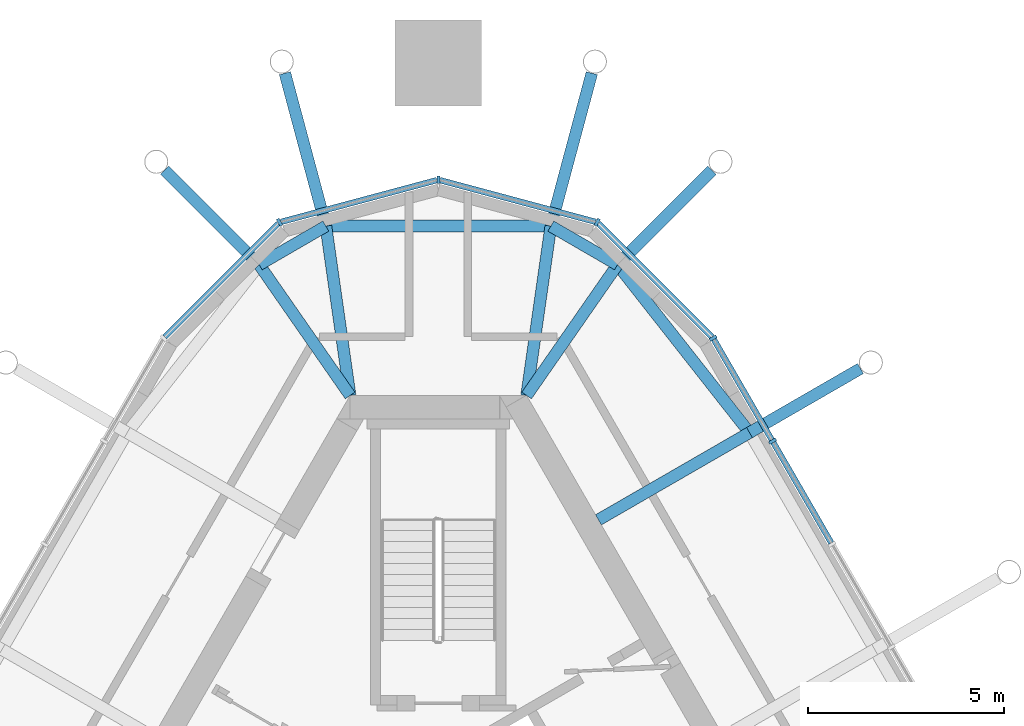
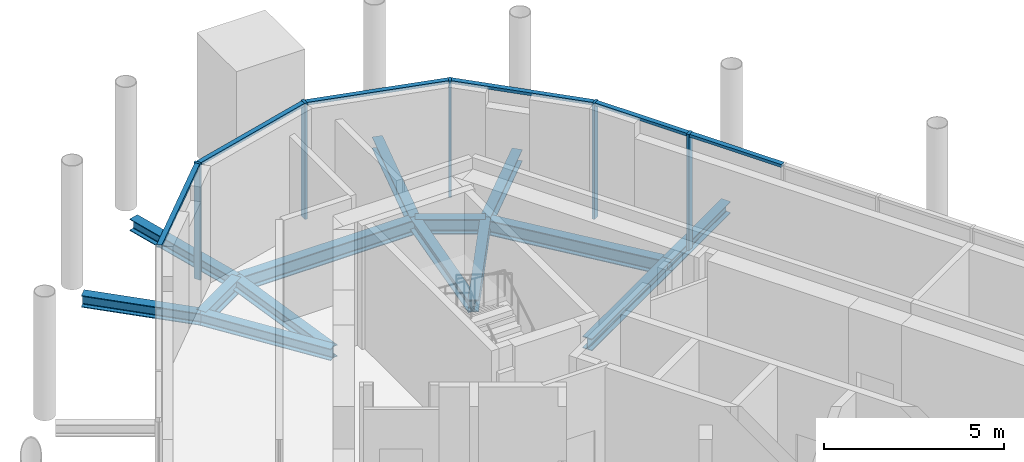
# One storey, part 5 of 11: 14 beams, 11 members, 2 elements without a shape of their own.
"""IFC4 building model written with IfcOpenShell, lengths in metres."""

from ifc_helpers import new_model, si_unit, direction, frame, origin, origin_2d, place, context, subcontext, project, spatial, rectangle, i_section, extrude, material, material_profile, profile_set, type_object, element, aggregate, save


model = new_model("IFC4")

# Units and contexts
model_context = context("Model", 3, precision=1e-05, world=origin(), true_north=direction((0.0, 1.0)))
body_context = subcontext(model_context, "Body", "Model", "MODEL_VIEW")
ifc_project = project(units=[si_unit("LENGTHUNIT", "METRE"), si_unit("AREAUNIT", "SQUARE_METRE"), si_unit("VOLUMEUNIT", "CUBIC_METRE"), si_unit("PLANEANGLEUNIT", "RADIAN"), si_unit("MASSUNIT", "GRAM", prefix="KILO")], contexts=[model_context])

# Site, building, storey
site_placement = place(None, origin())
site = spatial("IfcSite", under=ifc_project, at=site_placement, CompositionType="ELEMENT")
building_placement = place(site_placement, origin())
building = spatial("IfcBuilding", under=site, at=building_placement, Name="Mestral Congress Tower", CompositionType="ELEMENT")
storey_placement = place(building_placement, frame((0.0, 0.0, 336.0)))
storey = spatial("IfcBuildingStorey", under=building, at=storey_placement, Name="L78", CompositionType="ELEMENT", Elevation=336.0)

# Curtain wall, members
ifc_material_1 = material(Name="Glazed ceramic", Category="masonry")
curtain_wall_type = type_object("IfcCurtainWallType", Name="Facade plant louvre screen", PredefinedType="USERDEFINED", material=ifc_material_1)
placement = place(storey_placement, origin())
curtain_wall_1 = element("IfcCurtainWall", 1, at=placement, inside=storey, type_object=curtain_wall_type, Name="Plant louvre screen side 2", ObjectType="CURTAIN WALL", PredefinedType="USERDEFINED")
ifc_material_2 = material(Name="Anodised aluminium", Category="aluminium")
ifc_material_profile_1 = material_profile(ifc_material_2, rectangle(XDim=0.199951171875, YDim=0.080078125, at=origin_2d()), Name="CW6 mullion 200 x 80")
ifc_profile_set_1 = profile_set([ifc_material_profile_1], Name="Anodised aluminium")
member_type_1 = type_object("IfcMemberType", Name="Facade plant louvre screen mullion", PredefinedType="MULLION", material=ifc_profile_set_1)
member_1_placement = place(storey_placement, frame((8.525390625, 15.43359375, 0.0), z_axis=(0.0, 0.0, 1.0), x_axis=(0.866024531118, 0.500001511499, 0.0)))
member_1 = element("IfcMember", 2, at=member_1_placement, type_object=member_type_1, Name="Facade plant louvre screen mullion", PredefinedType="MULLION", context=body_context, shape_type="SweptSolid", body=[
    extrude(rectangle(XDim=0.199951171875, YDim=0.080078125, at=origin_2d()), origin(), (0.0, 0.0, 1.0), 3.949951171875),
])
member_2_placement = place(storey_placement, frame((7.00830078125, 18.061279296875, 0.0), z_axis=(0.0, 0.0, 1.0), x_axis=(0.866024531118, 0.500001511499, 0.0)))
member_2 = element("IfcMember", 3, at=member_2_placement, type_object=member_type_1, Name="Facade plant louvre screen mullion", PredefinedType="MULLION", context=body_context, shape_type="SweptSolid", body=[
    extrude(rectangle(XDim=0.199951171875, YDim=0.080078125, at=origin_2d()), origin(), (0.0, 0.0, 1.0), 3.949951171875),
])

curtain_wall_2 = element("IfcCurtainWall", 4, at=placement, inside=storey, type_object=curtain_wall_type, Name="Plant louvre screen corner 3", ObjectType="CURTAIN WALL", PredefinedType="USERDEFINED")
member_3_placement = place(storey_placement, frame((4.0517578125, 21.017822265625, 0.0), z_axis=(0.0, 0.0, 1.0), x_axis=(0.5, 0.866025403784, 0.0)))
member_3 = element("IfcMember", 5, at=member_3_placement, type_object=member_type_1, Name="Facade plant louvre screen mullion", PredefinedType="MULLION", context=body_context, shape_type="SweptSolid", body=[
    extrude(rectangle(XDim=0.199951171875, YDim=0.080078125, at=origin_2d()), origin(), (0.0, 0.0, 1.0), 3.949951171875),
])
member_4_placement = place(storey_placement, frame((0.0, 22.103515625, 0.0), z_axis=(0.0, 0.0, 1.0), x_axis=(0.0, 1.0, 0.0)))
member_4 = element("IfcMember", 6, at=member_4_placement, type_object=member_type_1, Name="Facade plant louvre screen mullion", PredefinedType="MULLION", context=body_context, shape_type="SweptSolid", body=[
    extrude(rectangle(XDim=0.199951171875, YDim=0.080078125, at=origin_2d()), origin(), (0.0, 0.0, 1.0), 3.949951171875),
])
member_5_placement = place(storey_placement, frame((-4.0517578125, 21.017822265625, 0.0), z_axis=(0.0, 0.0, 1.0), x_axis=(-0.5, 0.866025403784, 0.0)))
member_5 = element("IfcMember", 7, at=member_5_placement, type_object=member_type_1, Name="Facade plant louvre screen mullion", PredefinedType="MULLION", context=body_context, shape_type="SweptSolid", body=[
    extrude(rectangle(XDim=0.199951171875, YDim=0.080078125, at=origin_2d()), origin(), (0.0, 0.0, 1.0), 3.949951171875),
])

# Member
ifc_material_profile_2 = material_profile(ifc_material_2, rectangle(XDim=0.14990234375, YDim=0.10009765625, at=origin_2d()), Name="CW6 transom 150 x 100")
ifc_profile_set_2 = profile_set([ifc_material_profile_2], Name="Anodised aluminium")
member_type_2 = type_object("IfcMemberType", Name="Facade plant louvre screen transom", PredefinedType="USERDEFINED", material=ifc_profile_set_2)
member_6_placement = place(storey_placement, frame((10.022705078125, 12.84033203125, 3.89990234375), z_axis=(-0.50002288008, 0.866012193561, 0.0), x_axis=(-0.866012193561, -0.50002288008, 0.0)))
member_6 = element("IfcMember", 8, at=member_6_placement, type_object=member_type_2, Name="Facade plant louvre screen transom", ObjectType="TRANSOM", PredefinedType="USERDEFINED", context=body_context, shape_type="SweptSolid", body=[
    extrude(rectangle(XDim=0.14990234375, YDim=0.10009765625, at=origin_2d()), origin(), (0.0, 0.0, 1.0), 2.954345703125),
])

member_7_placement = place(storey_placement, frame((8.50537109375, 15.46826171875, 3.89990234375), z_axis=(-0.499960902066, 0.86604797581, 0.0), x_axis=(-0.86604797581, -0.499960902066, 0.0)))
member_7 = element("IfcMember", 9, at=member_7_placement, type_object=member_type_2, Name="Facade plant louvre screen transom", ObjectType="TRANSOM", PredefinedType="USERDEFINED", context=body_context, shape_type="SweptSolid", body=[
    extrude(rectangle(XDim=0.14990234375, YDim=0.10009765625, at=origin_2d()), origin(), (0.0, 0.0, 1.0), 2.954345703125),
])

aggregate(curtain_wall_1, [member_1, member_2, member_6, member_7])

member_8_placement = place(storey_placement, frame((6.97998046875, 18.089599609375, 3.89990234375), z_axis=(-0.707106781187, 0.707106781187, 0.0), x_axis=(-0.707106781187, -0.707106781187, 0.0)))
member_8 = element("IfcMember", 10, at=member_8_placement, type_object=member_type_2, Name="Facade plant louvre screen transom", ObjectType="TRANSOM", PredefinedType="USERDEFINED", context=body_context, shape_type="SweptSolid", body=[
    extrude(rectangle(XDim=0.14990234375, YDim=0.10009765625, at=origin_2d()), origin(), (0.0, 0.0, 1.0), 4.10107421875),
])

member_9_placement = place(storey_placement, frame((4.01318359375, 21.0283203125, 3.89990234375), z_axis=(-0.965928983476, 0.258807262034, 0.0), x_axis=(-0.258807262034, -0.965928983476, 0.0)))
member_9 = element("IfcMember", 11, at=member_9_placement, type_object=member_type_2, Name="Facade plant louvre screen transom", ObjectType="TRANSOM", PredefinedType="USERDEFINED", context=body_context, shape_type="SweptSolid", body=[
    extrude(rectangle(XDim=0.14990234375, YDim=0.10009765625, at=origin_2d()), origin(), (0.0, 0.0, 1.0), 4.11474609375),
])

member_10_placement = place(storey_placement, frame((-0.03857421875, 22.09326171875, 3.89990234375), z_axis=(-0.965928983476, -0.258807262034, 0.0), x_axis=(0.258807262034, -0.965928983476, 0.0)))
member_10 = element("IfcMember", 12, at=member_10_placement, type_object=member_type_2, Name="Facade plant louvre screen transom", ObjectType="TRANSOM", PredefinedType="USERDEFINED", context=body_context, shape_type="SweptSolid", body=[
    extrude(rectangle(XDim=0.14990234375, YDim=0.10009765625, at=origin_2d()), origin(), (0.0, 0.0, 1.0), 4.11474609375),
])

member_11_placement = place(storey_placement, frame((-4.080078125, 20.989501953125, 3.89990234375), z_axis=(-0.707106781187, -0.707106781187, 0.0), x_axis=(0.707106781187, -0.707106781187, 0.0)))
member_11 = element("IfcMember", 13, at=member_11_placement, type_object=member_type_2, Name="Facade plant louvre screen transom", ObjectType="TRANSOM", PredefinedType="USERDEFINED", context=body_context, shape_type="SweptSolid", body=[
    extrude(rectangle(XDim=0.14990234375, YDim=0.10009765625, at=origin_2d()), origin(), (0.0, 0.0, 1.0), 4.10107421875),
])

aggregate(curtain_wall_2, [member_3, member_4, member_5, member_8, member_9, member_10, member_11])

# Beams
ifc_material_3 = material(Name="Steel S355", Category="steel")
ifc_material_profile_3 = material_profile(ifc_material_3, i_section(OverallWidth=0.300048828125, OverallDepth=0.39990234375, WebThickness=0.013427734375, FlangeThickness=0.02392578125, FilletRadius=0.027099609375, at=origin_2d()), Name="HEB 400")
ifc_profile_set_3 = profile_set([ifc_material_profile_3], Name="Steel S355")
beam_type_1 = type_object("IfcBeamType", Name="Floor beam HEB 400 S355", PredefinedType="BEAM", material=ifc_profile_set_3)
beam_1_placement = place(storey_placement, frame((-2.251708984375, 16.60009765625, -0.449951171875), z_axis=(-0.570662800291, 0.821184491064, 0.0), x_axis=(-0.821184491064, -0.570662800291, 0.0)))
element("IfcBeam", 14, at=beam_1_placement, inside=storey, type_object=beam_type_1, Name="BM-L78-KR12", PredefinedType="BEAM", context=body_context, shape_type="SweptSolid", body=[
    extrude(i_section(OverallWidth=0.300048828125, OverallDepth=0.39990234375, WebThickness=0.013427734375, FlangeThickness=0.02392578125, FilletRadius=0.027099609375, at=origin_2d()), origin(), (0.0, 0.0, 1.0), 4.060791015625),
])
for number, where, z_axis, x_axis, name in (
    (15, (-2.251708984375, 16.60009765625, -0.449951171875), (-0.141523162666, 0.989934944544, 0.0), (-0.989934944544, -0.141523162666, 0.0), "BM-L78-KR13"),
    (16, (2.251708984375, 16.60009765625, -0.449951171875), (0.141523162666, 0.989934944544, 0.0), (-0.989934944544, 0.141523162666, 0.0), "BM-L78-KR14"),
):
    element("IfcBeam", number, at=place(storey_placement, frame(where, z_axis=z_axis, x_axis=x_axis)), inside=storey, type_object=beam_type_1, Name=name, PredefinedType="BEAM", context=body_context, shape_type="SweptSolid", body=[
        extrude(i_section(OverallWidth=0.300048828125, OverallDepth=0.39990234375, WebThickness=0.013427734375, FlangeThickness=0.02392578125, FilletRadius=0.027099609375, at=origin_2d()), origin(), (0.0, 0.0, 1.0), 4.364501953125),
    ])
beam_2_placement = place(storey_placement, frame((2.251708984375, 16.60009765625, -0.449951171875), z_axis=(0.570662800291, 0.821184491064, 0.0), x_axis=(-0.821184491064, 0.570662800291, 0.0)))
element("IfcBeam", 17, at=beam_2_placement, inside=storey, type_object=beam_type_1, Name="BM-L78-KR15", PredefinedType="BEAM", context=body_context, shape_type="SweptSolid", body=[
    extrude(i_section(OverallWidth=0.300048828125, OverallDepth=0.39990234375, WebThickness=0.013427734375, FlangeThickness=0.02392578125, FilletRadius=0.027099609375, at=origin_2d()), origin(), (0.0, 0.0, 1.0), 4.060791015625),
])
beam_3_placement = place(storey_placement, frame((4.083251953125, 13.427734375, -0.449951171875), z_axis=(0.866036664382, 0.499980495566, 0.0), x_axis=(-0.499980495566, 0.866036664382, 0.0)))
element("IfcBeam", 18, at=beam_3_placement, inside=storey, type_object=beam_type_1, Name="BM-L78-KR16", PredefinedType="BEAM", context=body_context, shape_type="SweptSolid", body=[
    extrude(i_section(OverallWidth=0.300048828125, OverallDepth=0.39990234375, WebThickness=0.013427734375, FlangeThickness=0.02392578125, FilletRadius=0.027099609375, at=origin_2d()), origin(), (0.0, 0.0, 1.0), 4.449951171875),
])
beam_4_placement = place(storey_placement, frame((-6.979736328125, 22.34521484375, -0.449951171875), z_axis=(0.707142588594, -0.707070971966, 0.0), x_axis=(0.707070971966, 0.707142588594, 0.0)))
element("IfcBeam", 19, at=beam_4_placement, inside=storey, type_object=beam_type_1, Name="BM-L78-KT-C5-W00", PredefinedType="BEAM", context=body_context, shape_type="SweptSolid", body=[
    extrude(i_section(OverallWidth=0.300048828125, OverallDepth=0.39990234375, WebThickness=0.013427734375, FlangeThickness=0.02392578125, FilletRadius=0.027099609375, at=origin_2d()), origin(), (0.0, 0.0, 1.0), 3.408935546875),
])
for number, where, z_axis, x_axis, name in (
    (20, (-3.91455078125, 24.821533203125, -0.449951171875), (0.258802563966, -0.965930242246, 0.0), (0.965930242246, 0.258802563966, 0.0), "BM-L78-KT-C5-N3"),
    (21, (3.91455078125, 24.821533203125, -0.449951171875), (-0.258802563966, -0.965930242246, 0.0), (0.965930242246, -0.258802563966, 0.0), "BM-L78-KT-C5-N1"),
):
    element("IfcBeam", number, at=place(storey_placement, frame(where, z_axis=z_axis, x_axis=x_axis)), inside=storey, type_object=beam_type_1, Name=name, PredefinedType="BEAM", context=body_context, shape_type="SweptSolid", body=[
        extrude(i_section(OverallWidth=0.300048828125, OverallDepth=0.39990234375, WebThickness=0.013427734375, FlangeThickness=0.02392578125, FilletRadius=0.027099609375, at=origin_2d()), origin(), (0.0, 0.0, 1.0), 4.03857421875),
    ])
beam_5_placement = place(storey_placement, frame((6.979736328125, 22.34521484375, -0.449951171875), z_axis=(-0.707142588594, -0.707070971966, 0.0), x_axis=(0.707070971966, -0.707142588594, 0.0)))
element("IfcBeam", 22, at=beam_5_placement, inside=storey, type_object=beam_type_1, Name="BM-L78-KT-C5-E05", PredefinedType="BEAM", context=body_context, shape_type="SweptSolid", body=[
    extrude(i_section(OverallWidth=0.300048828125, OverallDepth=0.39990234375, WebThickness=0.013427734375, FlangeThickness=0.02392578125, FilletRadius=0.027099609375, at=origin_2d()), origin(), (0.0, 0.0, 1.0), 3.408935546875),
])
beam_6_placement = place(storey_placement, frame((10.767822265625, 17.287109375, -0.449951171875), z_axis=(-0.866005234444, -0.500034932695, 0.0), x_axis=(0.500034932695, -0.866005234444, 0.0)))
element("IfcBeam", 23, at=beam_6_placement, inside=storey, type_object=beam_type_1, Name="BM-L78-KT-C5-E04", PredefinedType="BEAM", context=body_context, shape_type="SweptSolid", body=[
    extrude(i_section(OverallWidth=0.300048828125, OverallDepth=0.39990234375, WebThickness=0.013427734375, FlangeThickness=0.02392578125, FilletRadius=0.027099609375, at=origin_2d()), origin(), (0.0, 0.0, 1.0), 3.268798828125),
])
ifc_material_profile_4 = material_profile(ifc_material_3, i_section(OverallWidth=0.300048828125, OverallDepth=0.5, WebThickness=0.014404296875, FlangeThickness=0.028076171875, FilletRadius=0.027099609375, at=origin_2d()), Name="HEB 500")
ifc_profile_set_4 = profile_set([ifc_material_profile_4], Name="Steel S355")
beam_type_2 = type_object("IfcBeamType", Name="Floor beam HEB 500 S355", PredefinedType="BEAM", material=ifc_profile_set_4)
beam_7_placement = place(storey_placement, frame((-4.569091796875, 19.934814453125, -0.5), z_axis=(0.865029032264, 0.501721808716, 0.0), x_axis=(-0.501721808716, 0.865029032264, 0.0)))
element("IfcBeam", 24, at=beam_7_placement, inside=storey, type_object=beam_type_2, Name="BM-L78-KG12", PredefinedType="BEAM", context=body_context, shape_type="SweptSolid", body=[
    extrude(i_section(OverallWidth=0.300048828125, OverallDepth=0.5, WebThickness=0.014404296875, FlangeThickness=0.028076171875, FilletRadius=0.027099609375, at=origin_2d()), origin(), (0.0, 0.0, 1.0), 1.96484375),
])
beam_8_placement = place(storey_placement, frame((-2.869384765625, 20.920654296875, -0.5), z_axis=(1.0, 0.0, 0.0), x_axis=(0.0, 1.0, 0.0)))
element("IfcBeam", 25, at=beam_8_placement, inside=storey, type_object=beam_type_2, Name="BM-L78-KG13", PredefinedType="BEAM", context=body_context, shape_type="SweptSolid", body=[
    extrude(i_section(OverallWidth=0.300048828125, OverallDepth=0.5, WebThickness=0.014404296875, FlangeThickness=0.028076171875, FilletRadius=0.027099609375, at=origin_2d()), origin(), (0.0, 0.0, 1.0), 5.73876953125),
])
beam_9_placement = place(storey_placement, frame((2.869384765625, 20.920654296875, -0.5), z_axis=(0.865029032264, -0.501721808716, 0.0), x_axis=(0.501721808716, 0.865029032264, 0.0)))
element("IfcBeam", 26, at=beam_9_placement, inside=storey, type_object=beam_type_2, Name="BM-L78-KG14", PredefinedType="BEAM", context=body_context, shape_type="SweptSolid", body=[
    extrude(i_section(OverallWidth=0.300048828125, OverallDepth=0.5, WebThickness=0.014404296875, FlangeThickness=0.028076171875, FilletRadius=0.027099609375, at=origin_2d()), origin(), (0.0, 0.0, 1.0), 1.96484375),
])
beam_10_placement = place(storey_placement, frame((4.569091796875, 19.934814453125, -0.5), z_axis=(0.618197515987, -0.786022793071, 0.0), x_axis=(0.786022793071, 0.618197515987, 0.0)))
element("IfcBeam", 27, at=beam_10_placement, inside=storey, type_object=beam_type_2, Name="BM-L78-KG15", PredefinedType="BEAM", context=body_context, shape_type="SweptSolid", body=[
    extrude(i_section(OverallWidth=0.300048828125, OverallDepth=0.5, WebThickness=0.014404296875, FlangeThickness=0.028076171875, FilletRadius=0.027099609375, at=origin_2d()), origin(), (0.0, 0.0, 1.0), 5.447998046875),
])

save(model, "model.ifc")
